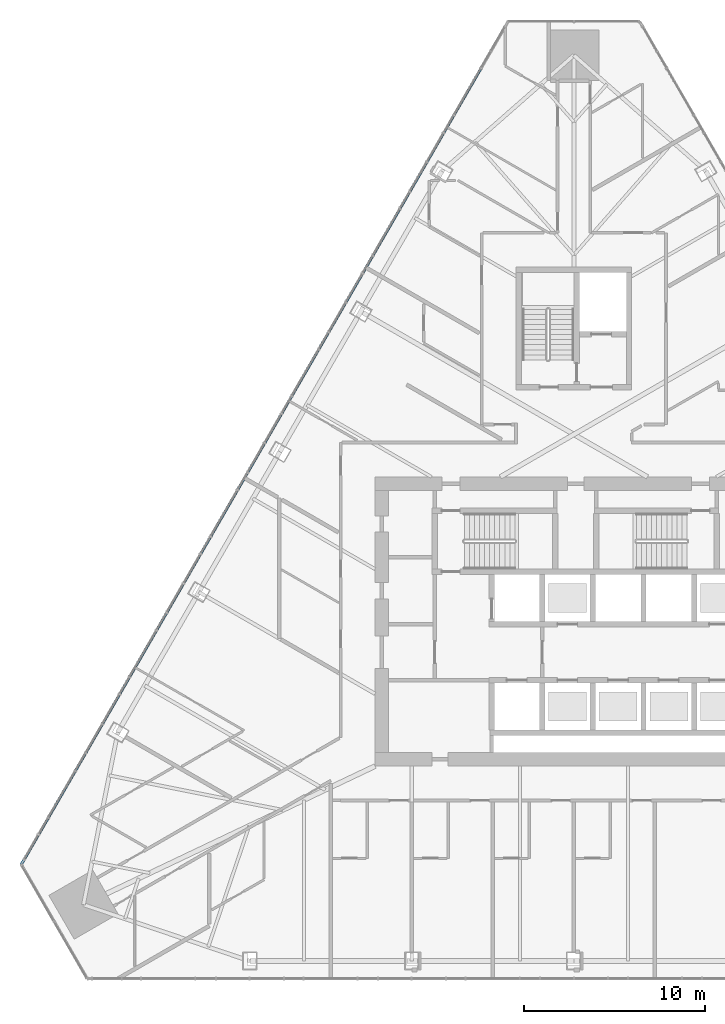
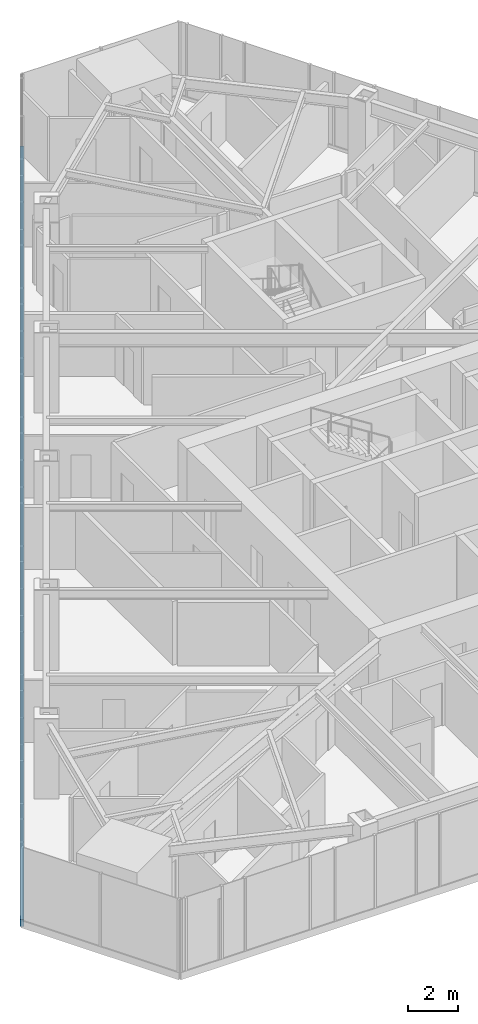
# One storey, part 5 of 26: 1 member, 1 element without a shape of its own.
"""IFC4 building model written with IfcOpenShell, lengths in metres."""

from ifc_helpers import new_model, si_unit, direction, frame, origin, origin_2d, place, context, subcontext, project, spatial, rectangle, extrude, material, layer, layer_set, material_profile, profile_set, type_object, element, aggregate, save


model = new_model("IFC4")

# Units and contexts
model_context = context("Model", 3, precision=1e-05, world=origin(), true_north=direction((0.0, 1.0)))
body_context = subcontext(model_context, "Body", "Model", "MODEL_VIEW")
ifc_project = project(units=[si_unit("LENGTHUNIT", "METRE"), si_unit("AREAUNIT", "SQUARE_METRE"), si_unit("VOLUMEUNIT", "CUBIC_METRE"), si_unit("PLANEANGLEUNIT", "RADIAN"), si_unit("MASSUNIT", "GRAM", prefix="KILO")], contexts=[model_context])

# Site, building, storey
site_placement = place(None, origin())
site = spatial("IfcSite", under=ifc_project, at=site_placement, CompositionType="ELEMENT")
building_placement = place(site_placement, origin())
building = spatial("IfcBuilding", under=site, at=building_placement, Name="Firuza Gate Tower and Library", CompositionType="ELEMENT")
storey_placement = place(building_placement, frame((0.0, 0.0, 175.300048828125)))
storey = spatial("IfcBuildingStorey", under=building, at=storey_placement, Name="L40", CompositionType="ELEMENT", Elevation=175.300048828125)

# Curtain wall, member
ifc_material_1 = material(Name="Aluminium 6063-T6", Category="aluminium")
ifc_layer = layer(ifc_material_1, 0.14990234375)
ifc_layer_set = layer_set([ifc_layer], Name="Unitised curtain wall, hotel")
curtain_wall_type = type_object("IfcCurtainWallType", Name="Unitised curtain wall, hotel", PredefinedType="NOTDEFINED", material=ifc_layer_set)
curtain_wall_placement = place(storey_placement, origin())
curtain_wall = element("IfcCurtainWall", 1, at=curtain_wall_placement, inside=storey, type_object=curtain_wall_type, Name="CW2 L40 W face", PredefinedType="NOTDEFINED")
ifc_material_2 = material(Name="Aluminium 6063-T6", Category="aluminium")
ifc_material_profile = material_profile(ifc_material_2, rectangle(XDim=0.14990234375, YDim=0.35009765625, at=origin_2d()))
ifc_profile_set = profile_set([ifc_material_profile], Name="Aluminium 6063-T6")
member_type = type_object("IfcMemberType", Name="Curtain wall transom 350x150", PredefinedType="USERDEFINED", material=ifc_profile_set)
member_placement = place(storey_placement, frame((71.356689453125, 108.198486328125, -0.025146484375), z_axis=(-0.499997911762, -0.866026609426, 0.0), x_axis=(0.866026609426, -0.499997911762, 0.0)))
member = element("IfcMember", 2, at=member_placement, type_object=member_type, Name="Transom", ObjectType="TRANSOM", PredefinedType="USERDEFINED", context=body_context, shape_type="SweptSolid", body=[
    extrude(rectangle(XDim=0.14990234375, YDim=0.35009765625, at=origin_2d()), origin(), (0.0, 0.0, 1.0), 53.858154296875),
])
aggregate(curtain_wall, [member])

save(model, "model.ifc")
